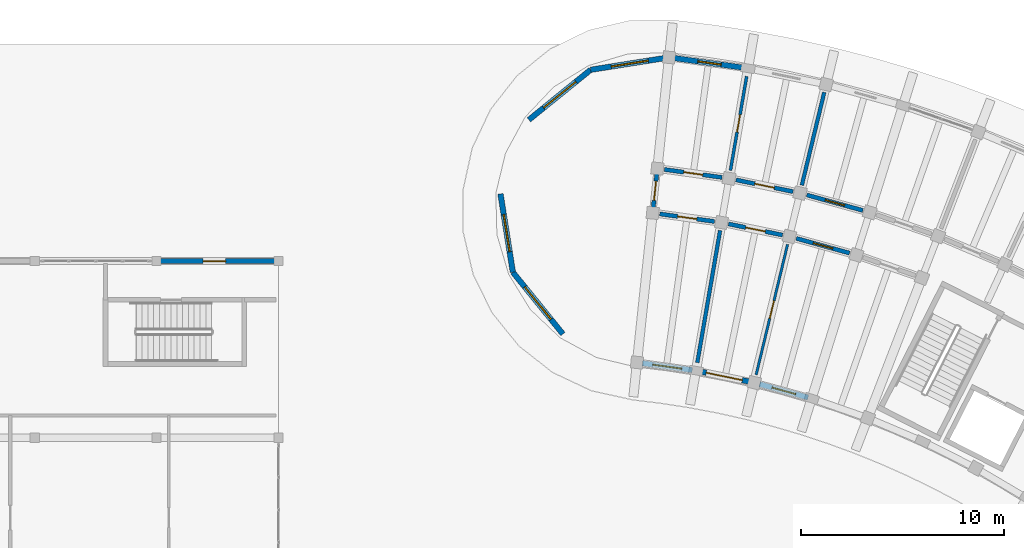
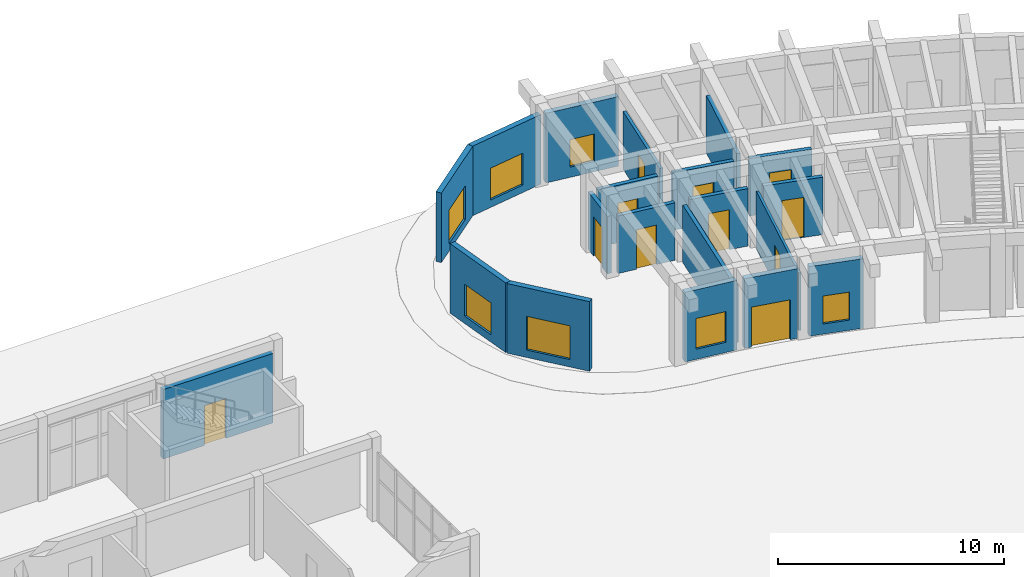
# One storey, part 99 of 132: 20 walls, 11 doors, 7 windows, 18 openings.
"""IFC4 building model written with IfcOpenShell, lengths in metres."""

from ifc_helpers import new_model, si_unit, direction, frame, frame_2d, origin, place, context, subcontext, project, spatial, rectangle, extrude, material, layer, layer_set, type_object, element, fill, save


model = new_model("IFC4")

# Units and contexts
model_context = context("Model", 3, precision=1e-05, world=origin(), true_north=direction((0.0, 1.0)))
body_context = subcontext(model_context, "Body", "Model", "MODEL_VIEW")
ifc_project = project(units=[si_unit("LENGTHUNIT", "METRE"), si_unit("AREAUNIT", "SQUARE_METRE"), si_unit("VOLUMEUNIT", "CUBIC_METRE"), si_unit("PLANEANGLEUNIT", "RADIAN"), si_unit("MASSUNIT", "GRAM", prefix="KILO")], contexts=[model_context])

# Site, building, storey
site_placement = place(None, origin())
site = spatial("IfcSite", under=ifc_project, at=site_placement, CompositionType="ELEMENT")
building_placement = place(site_placement, origin())
building = spatial("IfcBuilding", under=site, at=building_placement, Name="Tanwirah Colonnade Gardens", CompositionType="ELEMENT")
storey_placement = place(building_placement, origin())
storey = spatial("IfcBuildingStorey", under=building, at=storey_placement, Name="L00", CompositionType="ELEMENT", Elevation=0.0)

# Wall, opening, door
ifc_material_1 = material(Name="Limestone architectural precast concrete C40/50", Category="masonry")
ifc_layer_1 = layer(ifc_material_1, 0.239990234375)
ifc_layer_set_1 = layer_set([ifc_layer_1], Name="Limestone architectural precast concrete C40/50")
wall_type_1 = type_object("IfcWallType", Name="EW-PC240", PredefinedType="SOLIDWALL", material=ifc_layer_set_1)
wall_1_placement = place(storey_placement, frame((102.195068359375, 109.39990234375, 0.0), z_axis=(0.0, 0.0, 1.0), x_axis=(1.0, 0.0, 0.0)))
wall_1 = element("IfcWall", 1, at=wall_1_placement, inside=storey, type_object=wall_type_1, Name="Nursery L00 N Wall 4", PredefinedType="SOLIDWALL", context=body_context, shape_type="SweptSolid", body=[
    extrude(rectangle(XDim=5.60986328125, YDim=0.239990234375, at=frame_2d((2.804931640625, 0.0))), origin(), (0.0, 0.0, 1.0), 3.75),
])
opening_1_placement = place(wall_1_placement, frame((2.10009765625, 0.0, 0.0)))
opening_1 = element("IfcOpeningElement", 2, at=opening_1_placement, cuts=wall_1, Name="Opening L00-ED223", PredefinedType="OPENING", context=body_context, shape_type="SweptSolid", body=[
    extrude(rectangle(XDim=1.10009765625, YDim=2.14990234375, at=frame_2d((0.550048828125, 1.074951171875))), frame((0.0, 0.1298828125, 0.0), z_axis=(0.0, -1.0, 0.0), x_axis=(1.0, 0.0, 0.0)), (0.0, 0.0, 1.0), 0.260009765625),
])
ifc_material_2 = material(Name="Powder-coated galvanized steel fire exit door", Category="steel")
door_type_1 = type_object("IfcDoorType", Name="ED-EXIT11", OperationType="NOTDEFINED", PredefinedType="DOOR", material=ifc_material_2)
door_1_placement = place(opening_1_placement, origin())
door_1 = element("IfcDoor", 3, at=door_1_placement, inside=storey, type_object=door_type_1, Name="Nursery Stair ST-N2 Final Exit Door L00-ED223", OperationType="SINGLE_SWING_LEFT", OverallHeight=2.14990234375, OverallWidth=1.10009765625, PredefinedType="DOOR", context=body_context, shape_type="SweptSolid", body=[
    extrude(rectangle(XDim=1.10009765625, YDim=2.14990234375, at=frame_2d((0.550048828125, 1.074951171875))), frame((0.0, 0.02490234375, 0.0), z_axis=(0.0, -1.0, 0.0), x_axis=(1.0, 0.0, 0.0)), (0.0, 0.0, 1.0), 0.050048828125),
])
fill(opening_1, door_1)

# Wall, opening, window
ifc_layer_2 = layer(ifc_material_1, 0.27001953125)
ifc_layer_set_2 = layer_set([ifc_layer_2], Name="Limestone architectural precast concrete C40/50")
wall_type_2 = type_object("IfcWallType", Name="EW-PC270", PredefinedType="SOLIDWALL", material=ifc_layer_set_2)
wall_2_placement = place(storey_placement, frame((134.069580078125, 102.679443359375, 0.0), z_axis=(0.0, 0.0, 1.0), x_axis=(-0.963904687378, 0.266247542056, 0.0)))
wall_2 = element("IfcWall", 4, at=wall_2_placement, inside=storey, type_object=wall_type_2, Name="Block B L00 IN Precast Facade Wall 15", PredefinedType="SOLIDWALL", context=body_context, shape_type="SweptSolid", body=[
    extrude(rectangle(XDim=2.48046875, YDim=0.27001953125, at=frame_2d((1.240234375, 0.0))), origin(), (0.0, 0.0, 1.0), 3.7548828125),
])
opening_2_placement = place(wall_2_placement, frame((0.64013671875, 0.0, 0.550048828125)))
opening_2 = element("IfcOpeningElement", 5, at=opening_2_placement, cuts=wall_2, Name="Opening WIN-U02", PredefinedType="OPENING", context=body_context, shape_type="SweptSolid", body=[
    extrude(rectangle(XDim=1.199951171875, YDim=1.510009765625, at=frame_2d((0.60009765625, 0.7548828125))), frame((0.0, 0.14501953125, 0.0), z_axis=(0.0, -1.0, 0.0), x_axis=(1.0, 0.0, 0.0)), (0.0, 0.0, 1.0), 0.2900390625),
])
ifc_material_3 = material(Name="Thermally broken bronze aluminium and solar low-E double glazing", Category="aluminium")
window_type_1 = type_object("IfcWindowType", Name="WIN-U02", PartitioningType="DOUBLE_PANEL_VERTICAL", PredefinedType="WINDOW", material=ifc_material_3)
window_1_placement = place(opening_2_placement, origin())
window_1 = element("IfcWindow", 6, at=window_1_placement, inside=storey, type_object=window_type_1, Name="Facade window B-L00-IN-15", OverallHeight=1.510009765625, OverallWidth=1.199951171875, PartitioningType="SINGLE_PANEL", PredefinedType="WINDOW", context=body_context, shape_type="SweptSolid", body=[
    extrude(rectangle(XDim=1.199951171875, YDim=1.510009765625, at=frame_2d((0.60009765625, 0.7548828125))), frame((0.0, 0.030029296875, 0.0), z_axis=(0.0, -1.0, 0.0), x_axis=(1.0, 0.0, 0.0)), (0.0, 0.0, 1.0), 0.06005859375),
])
fill(opening_2, window_1)

# Wall, opening, door
wall_3_placement = place(storey_placement, frame((131.154052734375, 103.46630859375, 0.0), z_axis=(0.0, 0.0, 1.0), x_axis=(-0.979327037211, 0.202283351238, 0.0)))
wall_3 = element("IfcWall", 7, at=wall_3_placement, inside=storey, type_object=wall_type_2, Name="Block B L00 IN Precast Facade Wall 16", PredefinedType="SOLIDWALL", context=body_context, shape_type="SweptSolid", body=[
    extrude(rectangle(XDim=2.480224609375, YDim=0.27001953125, at=frame_2d((1.240234375, 0.0))), origin(), (0.0, 0.0, 1.0), 3.7548828125),
])
opening_3_placement = place(wall_3_placement, frame((0.340087890625, 0.0, 0.0)))
opening_3 = element("IfcOpeningElement", 8, at=opening_3_placement, cuts=wall_3, Name="Opening L00-ED069", PredefinedType="OPENING", context=body_context, shape_type="SweptSolid", body=[
    extrude(rectangle(XDim=1.800048828125, YDim=2.14990234375, at=frame_2d((0.89990234375, 1.074951171875))), frame((0.0, 0.14501953125, 0.0), z_axis=(0.0, -1.0, 0.0), x_axis=(1.0, 0.0, 0.0)), (0.0, 0.0, 1.0), 0.2900390625),
])
door_type_2 = type_object("IfcDoorType", Name="ED-EXIT18", OperationType="DOUBLE_DOOR_SINGLE_SWING", PredefinedType="DOOR", material=ifc_material_2)
door_2_placement = place(opening_3_placement, origin())
door_2 = element("IfcDoor", 9, at=door_2_placement, inside=storey, type_object=door_type_2, Name="Pedestrian final exit door L00-ED069", OperationType="DOUBLE_DOOR_SINGLE_SWING", OverallHeight=2.14990234375, OverallWidth=1.800048828125, PredefinedType="DOOR", context=body_context, shape_type="SweptSolid", body=[
    extrude(rectangle(XDim=1.800048828125, YDim=2.14990234375, at=frame_2d((0.89990234375, 1.074951171875))), frame((0.0, 0.02490234375, 0.0), z_axis=(0.0, -1.0, 0.0), x_axis=(1.0, 0.0, 0.0)), (0.0, 0.0, 1.0), 0.050048828125),
])
fill(opening_3, door_2)

# Wall, opening, window
wall_4_placement = place(storey_placement, frame((130.934814453125, 118.90966796875, 0.0), z_axis=(0.0, 0.0, 1.0), x_axis=(-0.990535032048, 0.137260155494, 0.0)))
wall_4 = element("IfcWall", 10, at=wall_4_placement, inside=storey, type_object=wall_type_2, Name="Block B L00 OUT Precast Facade Wall 17", PredefinedType="SOLIDWALL", context=body_context, shape_type="SweptSolid", body=[
    extrude(rectangle(XDim=3.4755859375, YDim=0.27001953125, at=frame_2d((1.73779296875, 0.0))), origin(), (0.0, 0.0, 1.0), 3.7548828125),
])
opening_4_placement = place(wall_4_placement, frame((1.157958984375, 0.0, 0.550048828125)))
opening_4 = element("IfcOpeningElement", 11, at=opening_4_placement, cuts=wall_4, Name="Opening WIN-U01", PredefinedType="OPENING", context=body_context, shape_type="SweptSolid", body=[
    extrude(rectangle(XDim=1.159912109375, YDim=1.485107421875, at=frame_2d((0.580078125, 0.74267578125))), frame((0.0, 0.14501953125, 0.0), z_axis=(0.0, -1.0, 0.0), x_axis=(1.0, 0.0, 0.0)), (0.0, 0.0, 1.0), 0.2900390625),
])
window_type_2 = type_object("IfcWindowType", Name="WIN-U01", PartitioningType="DOUBLE_PANEL_VERTICAL", PredefinedType="WINDOW", material=ifc_material_3)
window_2_placement = place(opening_4_placement, origin())
window_2 = element("IfcWindow", 12, at=window_2_placement, inside=storey, type_object=window_type_2, Name="Facade window B-L00-OUT-17", OverallHeight=1.485107421875, OverallWidth=1.159912109375, PartitioningType="SINGLE_PANEL", PredefinedType="WINDOW", context=body_context, shape_type="SweptSolid", body=[
    extrude(rectangle(XDim=1.159912109375, YDim=1.485107421875, at=frame_2d((0.580078125, 0.74267578125))), frame((0.0, 0.030029296875, 0.0), z_axis=(0.0, -1.0, 0.0), x_axis=(1.0, 0.0, 0.0)), (0.0, 0.0, 1.0), 0.06005859375),
])
fill(opening_4, window_2)

wall_5_placement = place(storey_placement, frame((128.37060546875, 104.029052734375, 0.0), z_axis=(0.0, 0.0, 1.0), x_axis=(-0.990541017993, 0.137216951116, 0.0)))
wall_5 = element("IfcWall", 13, at=wall_5_placement, inside=storey, type_object=wall_type_2, Name="Block B L00 IN Precast Facade Wall 17", PredefinedType="SOLIDWALL", context=body_context, shape_type="SweptSolid", body=[
    extrude(rectangle(XDim=2.480224609375, YDim=0.27001953125, at=frame_2d((1.240234375, 0.0))), origin(), (0.0, 0.0, 1.0), 3.7548828125),
])
opening_5_placement = place(wall_5_placement, frame((0.52001953125, 0.0, 0.550048828125)))
opening_5 = element("IfcOpeningElement", 14, at=opening_5_placement, cuts=wall_5, Name="Opening WIN-U08", PredefinedType="OPENING", context=body_context, shape_type="SweptSolid", body=[
    extrude(rectangle(XDim=1.43994140625, YDim=1.659912109375, at=frame_2d((0.719970703125, 0.830078125))), frame((0.0, 0.14501953125, 0.0), z_axis=(0.0, -1.0, 0.0), x_axis=(1.0, 0.0, 0.0)), (0.0, 0.0, 1.0), 0.2900390625),
])
window_type_3 = type_object("IfcWindowType", Name="WIN-U08", PartitioningType="DOUBLE_PANEL_VERTICAL", PredefinedType="WINDOW", material=ifc_material_3)
window_3_placement = place(opening_5_placement, origin())
window_3 = element("IfcWindow", 15, at=window_3_placement, inside=storey, type_object=window_type_3, Name="Facade window B-L00-IN-17", OverallHeight=1.659912109375, OverallWidth=1.43994140625, PartitioningType="SINGLE_PANEL", PredefinedType="WINDOW", context=body_context, shape_type="SweptSolid", body=[
    extrude(rectangle(XDim=1.43994140625, YDim=1.659912109375, at=frame_2d((0.719970703125, 0.830078125))), frame((0.0, 0.030029296875, 0.0), z_axis=(0.0, -1.0, 0.0), x_axis=(1.0, 0.0, 0.0)), (0.0, 0.0, 1.0), 0.06005859375),
])
fill(opening_5, window_3)

wall_6_placement = place(storey_placement, frame((121.997802734375, 105.80712890625, 0.0), z_axis=(0.0, 0.0, 1.0), x_axis=(-0.629331205321, 0.777137204109, 0.0)))
wall_6 = element("IfcWall", 16, at=wall_6_placement, inside=storey, type_object=wall_type_2, Name="Block B L00 END Rounded End Wall 1", PredefinedType="SOLIDWALL", context=body_context, shape_type="SweptSolid", body=[
    extrude(rectangle(XDim=3.907958984375, YDim=0.27001953125, at=frame_2d((1.9541015625, 0.0))), origin(), (0.0, 0.0, 1.0), 3.7548828125),
])
opening_6_placement = place(wall_6_placement, frame((0.92919921875, 0.0, 0.39990234375)))
opening_6 = element("IfcOpeningElement", 17, at=opening_6_placement, cuts=wall_6, Name="Opening WIN-END3", PredefinedType="OPENING", context=body_context, shape_type="SweptSolid", body=[
    extrude(rectangle(XDim=2.050048828125, YDim=1.820068359375, at=frame_2d((1.02490234375, 0.91015625))), frame((0.0, 0.14501953125, 0.0), z_axis=(0.0, -1.0, 0.0), x_axis=(1.0, 0.0, 0.0)), (0.0, 0.0, 1.0), 0.2900390625),
])
window_type_4 = type_object("IfcWindowType", Name="WIN-END3", PartitioningType="TRIPLE_PANEL_VERTICAL", PredefinedType="WINDOW", material=ifc_material_3)
window_4_placement = place(opening_6_placement, origin())
window_4 = element("IfcWindow", 18, at=window_4_placement, inside=storey, type_object=window_type_4, Name="Rounded corner window B-L00-END-1", OverallHeight=1.820068359375, OverallWidth=2.050048828125, PartitioningType="SINGLE_PANEL", PredefinedType="WINDOW", context=body_context, shape_type="SweptSolid", body=[
    extrude(rectangle(XDim=2.050048828125, YDim=1.820068359375, at=frame_2d((1.02490234375, 0.91015625))), frame((0.0, 0.030029296875, 0.0), z_axis=(0.0, -1.0, 0.0), x_axis=(1.0, 0.0, 0.0)), (0.0, 0.0, 1.0), 0.06005859375),
])
fill(opening_6, window_4)

wall_7_placement = place(storey_placement, frame((119.538330078125, 108.84423828125, 0.0), z_axis=(0.0, 0.0, 1.0), x_axis=(-0.15648221771, 0.987680776132, 0.0)))
wall_7 = element("IfcWall", 19, at=wall_7_placement, inside=storey, type_object=wall_type_2, Name="Block B L00 END Rounded End Wall 2", PredefinedType="SOLIDWALL", context=body_context, shape_type="SweptSolid", body=[
    extrude(rectangle(XDim=3.908203125, YDim=0.27001953125, at=frame_2d((1.9541015625, 0.0))), origin(), (0.0, 0.0, 1.0), 3.7548828125),
])
opening_7_placement = place(wall_7_placement, frame((1.029052734375, 0.0, 0.39990234375)))
opening_7 = element("IfcOpeningElement", 20, at=opening_7_placement, cuts=wall_7, Name="Opening WIN-END1", PredefinedType="OPENING", context=body_context, shape_type="SweptSolid", body=[
    extrude(rectangle(XDim=1.85009765625, YDim=1.719970703125, at=frame_2d((0.925048828125, 0.85986328125))), frame((0.0, 0.14501953125, 0.0), z_axis=(0.0, -1.0, 0.0), x_axis=(1.0, 0.0, 0.0)), (0.0, 0.0, 1.0), 0.2900390625),
])
window_type_5 = type_object("IfcWindowType", Name="WIN-END1", PartitioningType="TRIPLE_PANEL_VERTICAL", PredefinedType="WINDOW", material=ifc_material_3)
window_5_placement = place(opening_7_placement, origin())
window_5 = element("IfcWindow", 21, at=window_5_placement, inside=storey, type_object=window_type_5, Name="Rounded corner window B-L00-END-2", OverallHeight=1.719970703125, OverallWidth=1.85009765625, PartitioningType="SINGLE_PANEL", PredefinedType="WINDOW", context=body_context, shape_type="SweptSolid", body=[
    extrude(rectangle(XDim=1.85009765625, YDim=1.719970703125, at=frame_2d((0.925048828125, 0.85986328125))), frame((0.0, 0.030029296875, 0.0), z_axis=(0.0, -1.0, 0.0), x_axis=(1.0, 0.0, 0.0)), (0.0, 0.0, 1.0), 0.06005859375),
])
fill(opening_7, window_5)

wall_8_placement = place(storey_placement, frame((120.327392578125, 116.35302734375, 0.0), z_axis=(0.0, 0.0, 1.0), x_axis=(0.777137204109, 0.629331205321, 0.0)))
wall_8 = element("IfcWall", 22, at=wall_8_placement, inside=storey, type_object=wall_type_2, Name="Block B L00 END Rounded End Wall 4", PredefinedType="SOLIDWALL", context=body_context, shape_type="SweptSolid", body=[
    extrude(rectangle(XDim=3.907958984375, YDim=0.27001953125, at=frame_2d((1.9541015625, 0.0))), origin(), (0.0, 0.0, 1.0), 3.7548828125),
])
opening_8_placement = place(wall_8_placement, frame((0.92919921875, 0.0, 0.39990234375)))
opening_8 = element("IfcOpeningElement", 23, at=opening_8_placement, cuts=wall_8, Name="Opening WIN-END3", PredefinedType="OPENING", context=body_context, shape_type="SweptSolid", body=[
    extrude(rectangle(XDim=2.050048828125, YDim=1.820068359375, at=frame_2d((1.02490234375, 0.91015625))), frame((0.0, 0.14501953125, 0.0), z_axis=(0.0, -1.0, 0.0), x_axis=(1.0, 0.0, 0.0)), (0.0, 0.0, 1.0), 0.2900390625),
])
window_6_placement = place(opening_8_placement, origin())
window_6 = element("IfcWindow", 24, at=window_6_placement, inside=storey, type_object=window_type_4, Name="Rounded corner window B-L00-END-4", OverallHeight=1.820068359375, OverallWidth=2.050048828125, PartitioningType="SINGLE_PANEL", PredefinedType="WINDOW", context=body_context, shape_type="SweptSolid", body=[
    extrude(rectangle(XDim=2.050048828125, YDim=1.820068359375, at=frame_2d((1.02490234375, 0.91015625))), frame((0.0, 0.030029296875, 0.0), z_axis=(0.0, -1.0, 0.0), x_axis=(1.0, 0.0, 0.0)), (0.0, 0.0, 1.0), 0.06005859375),
])
fill(opening_8, window_6)

wall_9_placement = place(storey_placement, frame((123.364501953125, 118.8125, 0.0), z_axis=(0.0, 0.0, 1.0), x_axis=(0.987690429048, 0.156421278498, 0.0)))
wall_9 = element("IfcWall", 25, at=wall_9_placement, inside=storey, type_object=wall_type_2, Name="Block B L00 END Rounded End Wall 5", PredefinedType="SOLIDWALL", context=body_context, shape_type="SweptSolid", body=[
    extrude(rectangle(XDim=3.908203125, YDim=0.27001953125, at=frame_2d((1.9541015625, 0.0))), origin(), (0.0, 0.0, 1.0), 3.7548828125),
])
opening_9_placement = place(wall_9_placement, frame((1.029052734375, 0.0, 0.39990234375)))
opening_9 = element("IfcOpeningElement", 26, at=opening_9_placement, cuts=wall_9, Name="Opening WIN-END1", PredefinedType="OPENING", context=body_context, shape_type="SweptSolid", body=[
    extrude(rectangle(XDim=1.85009765625, YDim=1.719970703125, at=frame_2d((0.925048828125, 0.85986328125))), frame((0.0, 0.14501953125, 0.0), z_axis=(0.0, -1.0, 0.0), x_axis=(1.0, 0.0, 0.0)), (0.0, 0.0, 1.0), 0.2900390625),
])
window_7_placement = place(opening_9_placement, origin())
window_7 = element("IfcWindow", 27, at=window_7_placement, inside=storey, type_object=window_type_5, Name="Rounded corner window B-L00-END-5", OverallHeight=1.719970703125, OverallWidth=1.85009765625, PartitioningType="SINGLE_PANEL", PredefinedType="WINDOW", context=body_context, shape_type="SweptSolid", body=[
    extrude(rectangle(XDim=1.85009765625, YDim=1.719970703125, at=frame_2d((0.925048828125, 0.85986328125))), frame((0.0, 0.030029296875, 0.0), z_axis=(0.0, -1.0, 0.0), x_axis=(1.0, 0.0, 0.0)), (0.0, 0.0, 1.0), 0.06005859375),
])
fill(opening_9, window_7)

# Wall, opening, door
ifc_material_4 = material(Name="Precast concrete C40/50", Category="concrete")
ifc_layer_3 = layer(ifc_material_4, 0.205078125)
ifc_layer_set_3 = layer_set([ifc_layer_3], Name="Precast concrete C40/50")
wall_type_3 = type_object("IfcWallType", Name="IW-CORR205", PredefinedType="PARTITIONING", material=ifc_layer_set_3)
wall_10_placement = place(storey_placement, frame((136.765869140625, 111.888671875, 0.0), z_axis=(0.0, 0.0, 1.0), x_axis=(-0.963890789093, 0.266297853356, 0.0)))
wall_10 = element("IfcWall", 28, at=wall_10_placement, inside=storey, type_object=wall_type_3, Name="Block B L00 OUT Corridor Wall 15", PredefinedType="PARTITIONING", context=body_context, shape_type="SweptSolid", body=[
    extrude(rectangle(XDim=2.863037109375, YDim=0.205078125, at=frame_2d((1.431640625, 0.0))), origin(), (0.0, 0.0, 1.0), 3.10009765625),
])
opening_10_placement = place(wall_10_placement, frame((0.9365234375, 0.0, 0.0)))
opening_10 = element("IfcOpeningElement", 29, at=opening_10_placement, cuts=wall_10, Name="Opening L00-AD824", PredefinedType="OPENING", context=body_context, shape_type="SweptSolid", body=[
    extrude(rectangle(XDim=0.989990234375, YDim=2.159912109375, at=frame_2d((0.4951171875, 1.080078125))), frame((0.0, 0.112548828125, 0.0), z_axis=(0.0, -1.0, 0.0), x_axis=(1.0, 0.0, 0.0)), (0.0, 0.0, 1.0), 0.22509765625),
])
ifc_material_5 = material(Name="Solid oak fire-resisting apartment entrance door")
door_type_3 = type_object("IfcDoorType", Name="ID-FLT099", OperationType="NOTDEFINED", PredefinedType="DOOR", material=ifc_material_5)
door_3_placement = place(opening_10_placement, origin())
door_3 = element("IfcDoor", 30, at=door_3_placement, inside=storey, type_object=door_type_3, Name="Apartment corridor door L00-AD824", OperationType="SINGLE_SWING_RIGHT", OverallHeight=2.159912109375, OverallWidth=0.989990234375, PredefinedType="DOOR", context=body_context, shape_type="SweptSolid", body=[
    extrude(rectangle(XDim=0.989990234375, YDim=2.159912109375, at=frame_2d((0.4951171875, 1.080078125))), frame((0.0, 0.02490234375, 0.0), z_axis=(0.0, -1.0, 0.0), x_axis=(1.0, 0.0, 0.0)), (0.0, 0.0, 1.0), 0.050048828125),
])
fill(opening_10, door_3)

wall_11_placement = place(storey_placement, frame((136.1103515625, 109.78857421875, 0.0), z_axis=(0.0, 0.0, 1.0), x_axis=(-0.96388375821, 0.266323301006, 0.0)))
wall_11 = element("IfcWall", 31, at=wall_11_placement, inside=storey, type_object=wall_type_3, Name="Block B L00 IN Corridor Wall 15", PredefinedType="PARTITIONING", context=body_context, shape_type="SweptSolid", body=[
    extrude(rectangle(XDim=2.718017578125, YDim=0.205078125, at=frame_2d((1.35888671875, 0.0))), origin(), (0.0, 0.0, 1.0), 3.10009765625),
])
opening_11_placement = place(wall_11_placement, frame((0.864013671875, 0.0, 0.0)))
opening_11 = element("IfcOpeningElement", 32, at=opening_11_placement, cuts=wall_11, Name="Opening L00-AD825", PredefinedType="OPENING", context=body_context, shape_type="SweptSolid", body=[
    extrude(rectangle(XDim=0.989990234375, YDim=2.159912109375, at=frame_2d((0.4951171875, 1.080078125))), frame((0.0, 0.112548828125, 0.0), z_axis=(0.0, -1.0, 0.0), x_axis=(1.0, 0.0, 0.0)), (0.0, 0.0, 1.0), 0.22509765625),
])
door_4_placement = place(opening_11_placement, origin())
door_4 = element("IfcDoor", 33, at=door_4_placement, inside=storey, type_object=door_type_3, Name="Apartment corridor door L00-AD825", OperationType="SINGLE_SWING_LEFT", OverallHeight=2.159912109375, OverallWidth=0.989990234375, PredefinedType="DOOR", context=body_context, shape_type="SweptSolid", body=[
    extrude(rectangle(XDim=0.989990234375, YDim=2.159912109375, at=frame_2d((0.4951171875, 1.080078125))), frame((0.0, 0.02490234375, 0.0), z_axis=(0.0, -1.0, 0.0), x_axis=(1.0, 0.0, 0.0)), (0.0, 0.0, 1.0), 0.050048828125),
])
fill(opening_11, door_4)

wall_12_placement = place(storey_placement, frame((133.325927734375, 112.815185546875, 0.0), z_axis=(0.0, 0.0, 1.0), x_axis=(-0.979348418612, 0.202179808492, 0.0)))
wall_12 = element("IfcWall", 34, at=wall_12_placement, inside=storey, type_object=wall_type_3, Name="Block B L00 OUT Corridor Wall 16", PredefinedType="PARTITIONING", context=body_context, shape_type="SweptSolid", body=[
    extrude(rectangle(XDim=2.863037109375, YDim=0.205078125, at=frame_2d((1.431640625, 0.0))), origin(), (0.0, 0.0, 1.0), 3.10009765625),
])
opening_12_placement = place(wall_12_placement, frame((0.946533203125, 0.0, 0.0)))
opening_12 = element("IfcOpeningElement", 35, at=opening_12_placement, cuts=wall_12, Name="Opening L00-AD827", PredefinedType="OPENING", context=body_context, shape_type="SweptSolid", body=[
    extrude(rectangle(XDim=0.969970703125, YDim=2.14990234375, at=frame_2d((0.48486328125, 1.074951171875))), frame((0.0, 0.112548828125, 0.0), z_axis=(0.0, -1.0, 0.0), x_axis=(1.0, 0.0, 0.0)), (0.0, 0.0, 1.0), 0.22509765625),
])
door_type_4 = type_object("IfcDoorType", Name="ID-FLT097", OperationType="NOTDEFINED", PredefinedType="DOOR", material=ifc_material_5)
door_5_placement = place(opening_12_placement, origin())
door_5 = element("IfcDoor", 36, at=door_5_placement, inside=storey, type_object=door_type_4, Name="Apartment corridor door L00-AD827", OperationType="SINGLE_SWING_LEFT", OverallHeight=2.14990234375, OverallWidth=0.969970703125, PredefinedType="DOOR", context=body_context, shape_type="SweptSolid", body=[
    extrude(rectangle(XDim=0.969970703125, YDim=2.14990234375, at=frame_2d((0.48486328125, 1.074951171875))), frame((0.0, 0.02490234375, 0.0), z_axis=(0.0, -1.0, 0.0), x_axis=(1.0, 0.0, 0.0)), (0.0, 0.0, 1.0), 0.050048828125),
])
fill(opening_12, door_5)

wall_13_placement = place(storey_placement, frame((132.810302734375, 110.676513671875, 0.0), z_axis=(0.0, 0.0, 1.0), x_axis=(-0.979349423541, 0.202174940608, 0.0)))
wall_13 = element("IfcWall", 37, at=wall_13_placement, inside=storey, type_object=wall_type_3, Name="Block B L00 IN Corridor Wall 16", PredefinedType="PARTITIONING", context=body_context, shape_type="SweptSolid", body=[
    extrude(rectangle(XDim=2.71826171875, YDim=0.205078125, at=frame_2d((1.359130859375, 0.0))), origin(), (0.0, 0.0, 1.0), 3.10009765625),
])
opening_13_placement = place(wall_13_placement, frame((0.8740234375, 0.0, 0.0)))
opening_13 = element("IfcOpeningElement", 38, at=opening_13_placement, cuts=wall_13, Name="Opening L00-AD828", PredefinedType="OPENING", context=body_context, shape_type="SweptSolid", body=[
    extrude(rectangle(XDim=0.969970703125, YDim=2.14990234375, at=frame_2d((0.48486328125, 1.074951171875))), frame((0.0, 0.112548828125, 0.0), z_axis=(0.0, -1.0, 0.0), x_axis=(1.0, 0.0, 0.0)), (0.0, 0.0, 1.0), 0.22509765625),
])
door_6_placement = place(opening_13_placement, origin())
door_6 = element("IfcDoor", 39, at=door_6_placement, inside=storey, type_object=door_type_4, Name="Apartment corridor door L00-AD828", OperationType="SINGLE_SWING_RIGHT", OverallHeight=2.14990234375, OverallWidth=0.969970703125, PredefinedType="DOOR", context=body_context, shape_type="SweptSolid", body=[
    extrude(rectangle(XDim=0.969970703125, YDim=2.14990234375, at=frame_2d((0.48486328125, 1.074951171875))), frame((0.0, 0.02490234375, 0.0), z_axis=(0.0, -1.0, 0.0), x_axis=(1.0, 0.0, 0.0)), (0.0, 0.0, 1.0), 0.050048828125),
])
fill(opening_13, door_6)

wall_14_placement = place(storey_placement, frame((129.83251953125, 113.512939453125, 0.0), z_axis=(0.0, 0.0, 1.0), x_axis=(-0.990544162976, 0.137194246211, 0.0)))
wall_14 = element("IfcWall", 40, at=wall_14_placement, inside=storey, type_object=wall_type_3, Name="Block B L00 OUT Corridor Wall 17", PredefinedType="PARTITIONING", context=body_context, shape_type="SweptSolid", body=[
    extrude(rectangle(XDim=2.86328125, YDim=0.205078125, at=frame_2d((1.431640625, 0.0))), origin(), (0.0, 0.0, 1.0), 3.10009765625),
])
opening_14_placement = place(wall_14_placement, frame((0.95654296875, 0.0, 0.0)))
opening_14 = element("IfcOpeningElement", 41, at=opening_14_placement, cuts=wall_14, Name="Opening L00-AD830", PredefinedType="OPENING", context=body_context, shape_type="SweptSolid", body=[
    extrude(rectangle(XDim=0.949951171875, YDim=2.1298828125, at=frame_2d((0.47509765625, 1.06494140625))), frame((0.0, 0.112548828125, 0.0), z_axis=(0.0, -1.0, 0.0), x_axis=(1.0, 0.0, 0.0)), (0.0, 0.0, 1.0), 0.22509765625),
])
door_type_5 = type_object("IfcDoorType", Name="ID-FLT095", OperationType="NOTDEFINED", PredefinedType="DOOR", material=ifc_material_5)
door_7_placement = place(opening_14_placement, origin())
door_7 = element("IfcDoor", 42, at=door_7_placement, inside=storey, type_object=door_type_5, Name="Apartment corridor door L00-AD830", OperationType="SINGLE_SWING_RIGHT", OverallHeight=2.1298828125, OverallWidth=0.949951171875, PredefinedType="DOOR", context=body_context, shape_type="SweptSolid", body=[
    extrude(rectangle(XDim=0.949951171875, YDim=2.1298828125, at=frame_2d((0.47509765625, 1.06494140625))), frame((0.0, 0.02490234375, 0.0), z_axis=(0.0, -1.0, 0.0), x_axis=(1.0, 0.0, 0.0)), (0.0, 0.0, 1.0), 0.050048828125),
])
fill(opening_14, door_7)

wall_15_placement = place(storey_placement, frame((129.458740234375, 111.344970703125, 0.0), z_axis=(0.0, 0.0, 1.0), x_axis=(-0.990535404475, 0.137257467855, 0.0)))
wall_15 = element("IfcWall", 43, at=wall_15_placement, inside=storey, type_object=wall_type_3, Name="Block B L00 IN Corridor Wall 17", PredefinedType="PARTITIONING", context=body_context, shape_type="SweptSolid", body=[
    extrude(rectangle(XDim=2.7177734375, YDim=0.205078125, at=frame_2d((1.35888671875, 0.0))), origin(), (0.0, 0.0, 1.0), 3.10009765625),
])
opening_15_placement = place(wall_15_placement, frame((0.884033203125, 0.0, 0.0)))
opening_15 = element("IfcOpeningElement", 44, at=opening_15_placement, cuts=wall_15, Name="Opening L00-AD831", PredefinedType="OPENING", context=body_context, shape_type="SweptSolid", body=[
    extrude(rectangle(XDim=0.949951171875, YDim=2.1298828125, at=frame_2d((0.47509765625, 1.06494140625))), frame((0.0, 0.112548828125, 0.0), z_axis=(0.0, -1.0, 0.0), x_axis=(1.0, 0.0, 0.0)), (0.0, 0.0, 1.0), 0.22509765625),
])
door_8_placement = place(opening_15_placement, origin())
door_8 = element("IfcDoor", 45, at=door_8_placement, inside=storey, type_object=door_type_5, Name="Apartment corridor door L00-AD831", OperationType="SINGLE_SWING_LEFT", OverallHeight=2.1298828125, OverallWidth=0.949951171875, PredefinedType="DOOR", context=body_context, shape_type="SweptSolid", body=[
    extrude(rectangle(XDim=0.949951171875, YDim=2.1298828125, at=frame_2d((0.47509765625, 1.06494140625))), frame((0.0, 0.02490234375, 0.0), z_axis=(0.0, -1.0, 0.0), x_axis=(1.0, 0.0, 0.0)), (0.0, 0.0, 1.0), 0.050048828125),
])
fill(opening_15, door_8)

wall_16_placement = place(storey_placement, frame((126.425048828125, 111.815673828125, 0.0), z_axis=(0.0, 0.0, 1.0), x_axis=(0.104509292252, 0.994523910136, 0.0)))
wall_16 = element("IfcWall", 46, at=wall_16_placement, inside=storey, type_object=wall_type_3, Name="Block B L00 CE Corner Suite Corridor Wall", PredefinedType="PARTITIONING", context=body_context, shape_type="SweptSolid", body=[
    extrude(rectangle(XDim=2.10009765625, YDim=0.205078125, at=frame_2d((1.050048828125, 0.0))), origin(), (0.0, 0.0, 1.0), 3.10009765625),
])
opening_16_placement = place(wall_16_placement, frame((0.570068359375, 0.0, 0.0)))
opening_16 = element("IfcOpeningElement", 47, at=opening_16_placement, cuts=wall_16, Name="Opening L00-CD833", PredefinedType="OPENING", context=body_context, shape_type="SweptSolid", body=[
    extrude(rectangle(XDim=0.949951171875, YDim=2.1298828125, at=frame_2d((0.47509765625, 1.06494140625))), frame((0.0, 0.112548828125, 0.0), z_axis=(0.0, -1.0, 0.0), x_axis=(1.0, 0.0, 0.0)), (0.0, 0.0, 1.0), 0.22509765625),
])
door_9_placement = place(opening_16_placement, origin())
door_9 = element("IfcDoor", 48, at=door_9_placement, inside=storey, type_object=door_type_5, Name="Corner suite entrance door L00-CD833", OperationType="SINGLE_SWING_RIGHT", OverallHeight=2.1298828125, OverallWidth=0.949951171875, PredefinedType="DOOR", context=body_context, shape_type="SweptSolid", body=[
    extrude(rectangle(XDim=0.949951171875, YDim=2.1298828125, at=frame_2d((0.47509765625, 1.06494140625))), frame((0.0, 0.02490234375, 0.0), z_axis=(0.0, -1.0, 0.0), x_axis=(1.0, 0.0, 0.0)), (0.0, 0.0, 1.0), 0.050048828125),
])
fill(opening_16, door_9)

# Walls
ifc_layer_4 = layer(ifc_material_4, 0.18505859375)
ifc_layer_set_4 = layer_set([ifc_layer_4], Name="Precast concrete C40/50")
wall_type_4 = type_object("IfcWallType", Name="IW-DEM185", PredefinedType="PARTITIONING", material=ifc_layer_set_4)
wall_17_placement = place(storey_placement, frame((133.762451171875, 113.13330078125, 0.0), z_axis=(0.0, 0.0, 1.0), x_axis=(0.234386624934, 0.972143461662, 0.0)))
element("IfcWall", 49, at=wall_17_placement, inside=storey, type_object=wall_type_4, Name="Block B L00 Radial Partition 15", PredefinedType="PARTITIONING", context=body_context, shape_type="SweptSolid", body=[
    extrude(rectangle(XDim=4.69970703125, YDim=0.18505859375, at=frame_2d((2.349853515625, 0.0))), origin(), (0.0, 0.0, 1.0), 3.10009765625),
])
wall_18_placement = place(storey_placement, frame((128.61669921875, 104.3984375, 0.0), z_axis=(0.0, 0.0, 1.0), x_axis=(0.169825160084, 0.985474208187, 0.0)))
element("IfcWall", 50, at=wall_18_placement, inside=storey, type_object=wall_type_4, Name="Block B L00 Inner Radial Partition 16", PredefinedType="PARTITIONING", context=body_context, shape_type="SweptSolid", body=[
    extrude(rectangle(XDim=6.60009765625, YDim=0.18505859375, at=frame_2d((3.300048828125, 0.0))), origin(), (0.0, 0.0, 1.0), 3.10009765625),
])

# Wall, opening, door
ifc_material_6 = material(Name="Moisture-resistant gypsum stud partition")
ifc_layer_5 = layer(ifc_material_6, 0.125)
ifc_layer_set_5 = layer_set([ifc_layer_5], Name="Moisture-resistant gypsum stud partition")
wall_type_5 = type_object("IfcWallType", Name="IW-INT125", PredefinedType="PARTITIONING", material=ifc_layer_set_5)
wall_19_placement = place(storey_placement, frame((131.51220703125, 103.800537109375, 0.0), z_axis=(0.0, 0.0, 1.0), x_axis=(0.234406698576, 0.972138621629, 0.0)))
wall_19 = element("IfcWall", 51, at=wall_19_placement, inside=storey, type_object=wall_type_5, Name="Block B L00 Inner Radial Partition 15", PredefinedType="PARTITIONING", context=body_context, shape_type="SweptSolid", body=[
    extrude(rectangle(XDim=6.60009765625, YDim=0.125, at=frame_2d((3.300048828125, 0.0))), origin(), (0.0, 0.0, 1.0), 3.10009765625),
])
opening_17_placement = place(wall_19_placement, frame((2.85498046875, 0.0, 0.0)))
opening_17 = element("IfcOpeningElement", 52, at=opening_17_placement, cuts=wall_19, Name="Opening L00-RD826", PredefinedType="OPENING", context=body_context, shape_type="SweptSolid", body=[
    extrude(rectangle(XDim=0.889892578125, YDim=2.10009765625, at=frame_2d((0.44482421875, 1.050048828125))), frame((0.0, 0.072509765625, 0.0), z_axis=(0.0, -1.0, 0.0), x_axis=(1.0, 0.0, 0.0)), (0.0, 0.0, 1.0), 0.14501953125),
])
ifc_material_7 = material(Name="Painted hardwood bedroom door", Category="wood")
door_type_6 = type_object("IfcDoorType", Name="ID-RM089", OperationType="NOTDEFINED", PredefinedType="DOOR", material=ifc_material_7)
door_10_placement = place(opening_17_placement, origin())
door_10 = element("IfcDoor", 53, at=door_10_placement, inside=storey, type_object=door_type_6, Name="Internal apartment door L00-RD826", OperationType="SINGLE_SWING_LEFT", OverallHeight=2.10009765625, OverallWidth=0.889892578125, PredefinedType="DOOR", context=body_context, shape_type="SweptSolid", body=[
    extrude(rectangle(XDim=0.889892578125, YDim=2.10009765625, at=frame_2d((0.44482421875, 1.050048828125))), frame((0.0, 0.02490234375, 0.0), z_axis=(0.0, -1.0, 0.0), x_axis=(1.0, 0.0, 0.0)), (0.0, 0.0, 1.0), 0.050048828125),
])
fill(opening_17, door_10)

ifc_material_8 = material(Name="Water-resistant acoustic plumbing partition")
ifc_layer_6 = layer(ifc_material_8, 0.14990234375)
ifc_layer_set_6 = layer_set([ifc_layer_6], Name="Water-resistant acoustic plumbing partition")
wall_type_6 = type_object("IfcWallType", Name="IW-WET150", PredefinedType="PLUMBINGWALL", material=ifc_layer_set_6)
wall_20_placement = place(storey_placement, frame((130.2470703125, 113.859130859375, 0.0), z_axis=(0.0, 0.0, 1.0), x_axis=(0.169812980219, 0.985476307046, 0.0)))
wall_20 = element("IfcWall", 54, at=wall_20_placement, inside=storey, type_object=wall_type_6, Name="Block B L00 Radial Partition 16", PredefinedType="PLUMBINGWALL", context=body_context, shape_type="SweptSolid", body=[
    extrude(rectangle(XDim=4.699951171875, YDim=0.14990234375, at=frame_2d((2.35009765625, 0.0))), origin(), (0.0, 0.0, 1.0), 3.10009765625),
])
opening_18_placement = place(wall_20_placement, frame((1.919921875, 0.0, 0.0)))
opening_18 = element("IfcOpeningElement", 55, at=opening_18_placement, cuts=wall_20, Name="Opening L00-RD829", PredefinedType="OPENING", context=body_context, shape_type="SweptSolid", body=[
    extrude(rectangle(XDim=0.860107421875, YDim=2.06005859375, at=frame_2d((0.43017578125, 1.030029296875))), frame((0.0, 0.0849609375, 0.0), z_axis=(0.0, -1.0, 0.0), x_axis=(1.0, 0.0, 0.0)), (0.0, 0.0, 1.0), 0.169921875),
])
ifc_material_9 = material(Name="Moisture-resistant bathroom door")
door_type_7 = type_object("IfcDoorType", Name="ID-WET086", OperationType="NOTDEFINED", PredefinedType="DOOR", material=ifc_material_9)
door_11_placement = place(opening_18_placement, origin())
door_11 = element("IfcDoor", 56, at=door_11_placement, inside=storey, type_object=door_type_7, Name="Internal apartment door L00-RD829", OperationType="SINGLE_SWING_LEFT", OverallHeight=2.06005859375, OverallWidth=0.860107421875, PredefinedType="DOOR", context=body_context, shape_type="SweptSolid", body=[
    extrude(rectangle(XDim=0.860107421875, YDim=2.06005859375, at=frame_2d((0.43017578125, 1.030029296875))), frame((0.0, 0.02490234375, 0.0), z_axis=(0.0, -1.0, 0.0), x_axis=(1.0, 0.0, 0.0)), (0.0, 0.0, 1.0), 0.050048828125),
])
fill(opening_18, door_11)

save(model, "model.ifc")
